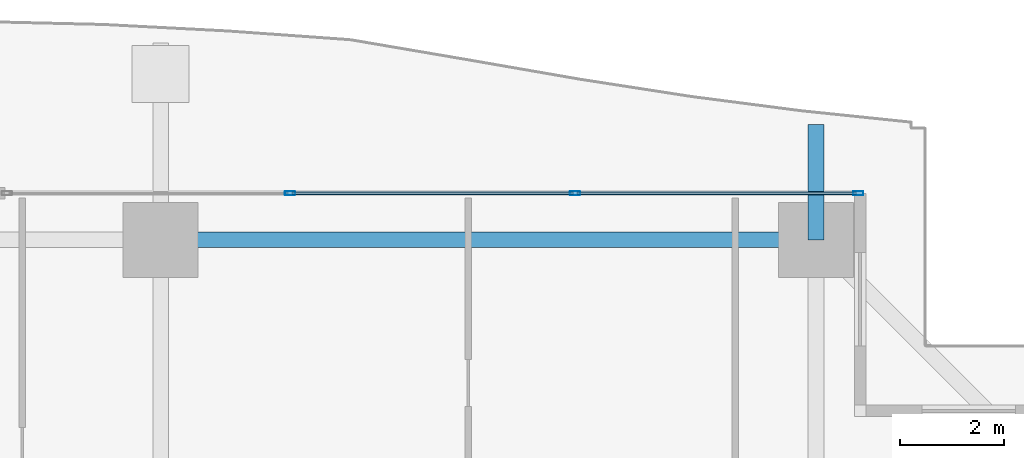
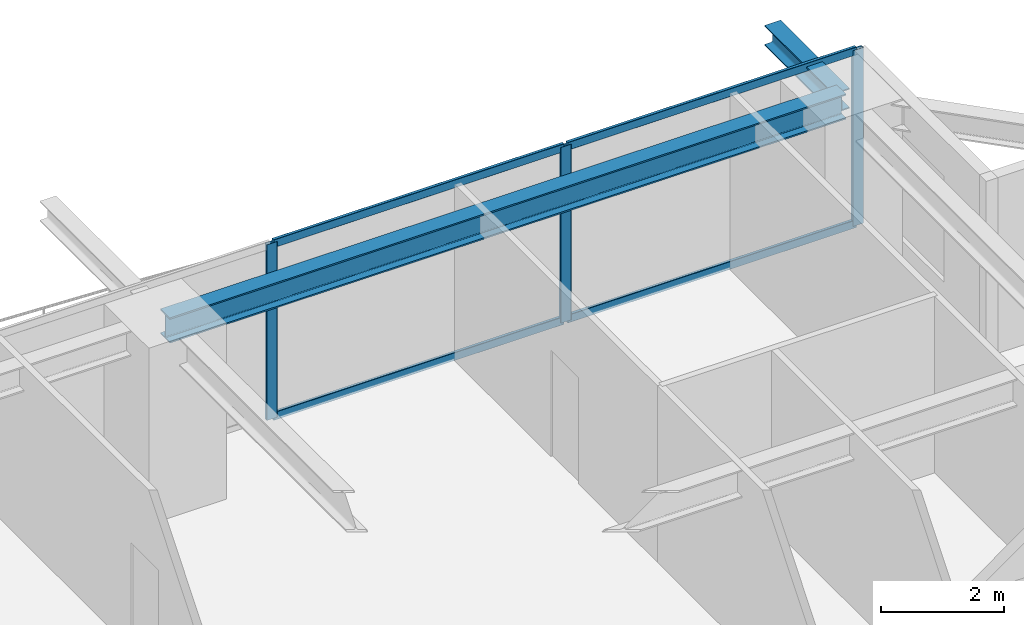
# One storey, part 25 of 38: 7 members, 2 beams, 1 element without a shape of its own.
"""IFC4 building model written with IfcOpenShell, lengths in metres."""

from ifc_helpers import new_model, si_unit, direction, frame, origin, origin_2d, place, context, subcontext, project, spatial, hollow_rectangle, i_section, extrude, source, transform, mapped, material, layer, layer_set, material_profile, profile_set, type_object, element, aggregate, save


model = new_model("IFC4")

# Units and contexts
model_context = context("Model", 3, precision=1e-05, world=origin(), true_north=direction((0.0, 1.0)))
body_context = subcontext(model_context, "Body", "Model", "MODEL_VIEW")
ifc_project = project(units=[si_unit("LENGTHUNIT", "METRE"), si_unit("AREAUNIT", "SQUARE_METRE"), si_unit("VOLUMEUNIT", "CUBIC_METRE"), si_unit("PLANEANGLEUNIT", "RADIAN"), si_unit("MASSUNIT", "GRAM", prefix="KILO")], contexts=[model_context])

# Site, building, storey
site_placement = place(None, origin())
site = spatial("IfcSite", under=ifc_project, at=site_placement, CompositionType="ELEMENT")
building_placement = place(site_placement, origin())
building = spatial("IfcBuilding", under=site, at=building_placement, Name="Serunith Strait Residences", CompositionType="ELEMENT")
storey_placement = place(building_placement, frame((0.0, 0.0, 82.949951171875)))
storey = spatial("IfcBuildingStorey", under=building, at=storey_placement, Name="L20", CompositionType="ELEMENT", Elevation=82.949951171875)

# Beams
ifc_material_1 = material(Name="Steel S355J2", Category="steel")
ifc_material_profile_1 = material_profile(ifc_material_1, i_section(OverallWidth=0.300048828125, OverallDepth=0.5, WebThickness=0.014404296875, FlangeThickness=0.028076171875, FilletRadius=0.027099609375, at=origin_2d()), Name="HEB 500")
ifc_profile_set_1 = profile_set([ifc_material_profile_1], Name="Steel S355J2")
beam_type_1 = type_object("IfcBeamType", Name="BM-HEB500", PredefinedType="BEAM", material=ifc_profile_set_1)
shared_shape_1 = source(origin(), body_context, "Body", "SweptSolid", [
    extrude(i_section(OverallWidth=0.300048828125, OverallDepth=0.5, WebThickness=0.014404296875, FlangeThickness=0.028076171875, FilletRadius=0.027099609375, at=origin_2d()), origin(), (0.0, 0.0, 1.0), 12.650146484375),
])
beam_1_placement = place(storey_placement, frame((49.550048828125, 49.300048828125, 3.237060546875), z_axis=(-1.0, 0.0, 0.0), x_axis=(0.0, -1.0, 0.0)))
element("IfcBeam", 1, at=beam_1_placement, inside=storey, type_object=beam_type_1, Name="L20 Perimeter Ring Beam 09", PredefinedType="BEAM", context=body_context, shape_type="MappedRepresentation", body=[
    mapped(shared_shape_1, transform((0.0, 0.0, 0.0), scale=1.0)),
])
ifc_material_profile_2 = material_profile(ifc_material_1, i_section(OverallWidth=0.300048828125, OverallDepth=0.39990234375, WebThickness=0.013427734375, FlangeThickness=0.02392578125, FilletRadius=0.027099609375, at=origin_2d()), Name="HEB 400")
ifc_profile_set_2 = profile_set([ifc_material_profile_2], Name="Steel S355J2")
beam_type_2 = type_object("IfcBeamType", Name="BM-HEB400", PredefinedType="BEAM", material=ifc_profile_set_2)
shared_shape_2 = source(origin(), body_context, "Body", "SweptSolid", [
    extrude(i_section(OverallWidth=0.300048828125, OverallDepth=0.39990234375, WebThickness=0.013427734375, FlangeThickness=0.02392578125, FilletRadius=0.027099609375, at=origin_2d()), origin(), (0.0, 0.0, 1.0), 2.227294921875),
])
beam_2_placement = place(storey_placement, frame((49.550048828125, 49.300048828125, 3.257080078125), z_axis=(0.0, 1.0, 0.0), x_axis=(-1.0, 0.0, 0.0)))
element("IfcBeam", 2, at=beam_2_placement, inside=storey, type_object=beam_type_2, Name="L21 Cantilevered Balcony Rib TC-N4", PredefinedType="BEAM", context=body_context, shape_type="MappedRepresentation", body=[
    mapped(shared_shape_2, transform((0.0, 0.0, 0.0), scale=1.0)),
])

# Curtain wall, members
ifc_material_2 = material(Name="Pale-Champagne Anodised Aluminium", Category="aluminium")
ifc_layer = layer(ifc_material_2, 0.199951171875, Name="Pale-Champagne Anodised Aluminium")
ifc_layer_set = layer_set([ifc_layer], Name="Pale-Champagne Anodised Aluminium")
curtain_wall_type = type_object("IfcCurtainWallType", Name="CW-SYS1", PredefinedType="NOTDEFINED", material=ifc_layer_set)
curtain_wall_placement = place(storey_placement, origin())
curtain_wall = element("IfcCurtainWall", 3, at=curtain_wall_placement, inside=storey, type_object=curtain_wall_type, Name="L20 N Unitised Fritted Curtain Wall", PredefinedType="NOTDEFINED")
ifc_material_profile_3 = material_profile(ifc_material_2, hollow_rectangle(XDim=0.070068359375, YDim=0.199951171875, WallThickness=0.00390625, InnerFilletRadius=0.006103515625, OuterFilletRadius=0.010009765625, at=origin_2d()), Name="ALU 200x70x4")
ifc_profile_set_3 = profile_set([ifc_material_profile_3], Name="Pale-Champagne Anodised Aluminium")
member_type_1 = type_object("IfcMemberType", Name="CW-SYS1-MULL", PredefinedType="MULLION", material=ifc_profile_set_3)
shared_shape_3 = source(origin(), body_context, "Body", "SweptSolid", [
    extrude(hollow_rectangle(XDim=0.070068359375, YDim=0.199951171875, WallThickness=0.00390625, InnerFilletRadius=0.006103515625, OuterFilletRadius=0.010009765625, at=origin_2d()), origin(), (0.0, 0.0, 1.0), 3.47509765625),
])
member_1_placement = place(storey_placement, frame((50.364990234375, 50.199951171875, 0.0), z_axis=(0.0, 0.0, 1.0), x_axis=(0.0, -1.0, 0.0)))
member_1 = element("IfcMember", 4, at=member_1_placement, type_object=member_type_1, Name="CW-1 mullion 1", PredefinedType="MULLION", context=body_context, shape_type="MappedRepresentation", body=[
    mapped(shared_shape_3, transform((0.0, 0.0, 0.0), scale=1.0)),
])
member_2_placement = place(storey_placement, frame((44.89990234375, 50.199951171875, 0.0), z_axis=(0.0, 0.0, 1.0), x_axis=(0.0, -1.0, 0.0)))
member_2 = element("IfcMember", 5, at=member_2_placement, type_object=member_type_1, Name="CW-1 mullion 2", PredefinedType="MULLION", context=body_context, shape_type="MappedRepresentation", body=[
    mapped(shared_shape_3, transform((0.0, 0.0, 0.0), scale=1.0)),
])
member_3_placement = place(storey_placement, frame((39.39990234375, 50.199951171875, 0.0), z_axis=(0.0, 0.0, 1.0), x_axis=(0.0, -1.0, 0.0)))
member_3 = element("IfcMember", 6, at=member_3_placement, type_object=member_type_1, Name="CW-1 mullion 3", PredefinedType="MULLION", context=body_context, shape_type="MappedRepresentation", body=[
    mapped(shared_shape_3, transform((0.0, 0.0, 0.0), scale=1.0)),
])
ifc_material_profile_4 = material_profile(ifc_material_2, hollow_rectangle(XDim=0.06005859375, YDim=0.159912109375, WallThickness=0.00341796875, InnerFilletRadius=0.00537109375, OuterFilletRadius=0.0087890625, at=origin_2d()), Name="ALU 160x60x3.5")
ifc_profile_set_4 = profile_set([ifc_material_profile_4], Name="Pale-Champagne Anodised Aluminium")
member_type_2 = type_object("IfcMemberType", Name="CW-SYS1-TRAN", PredefinedType="USERDEFINED", material=ifc_profile_set_4)
shared_shape_4 = source(origin(), body_context, "Body", "SweptSolid", [
    extrude(hollow_rectangle(XDim=0.06005859375, YDim=0.159912109375, WallThickness=0.00341796875, InnerFilletRadius=0.00537109375, OuterFilletRadius=0.0087890625, at=origin_2d()), origin(), (0.0, 0.0, 1.0), 5.39501953125),
])
member_4_placement = place(storey_placement, frame((50.330078125, 50.199951171875, 0.030029296875), z_axis=(-1.0, 0.0, 0.0), x_axis=(0.0, -1.0, 0.0)))
member_4 = element("IfcMember", 7, at=member_4_placement, type_object=member_type_2, Name="CW-1 transom 1.1", ObjectType="TRANSOM", PredefinedType="USERDEFINED", context=body_context, shape_type="MappedRepresentation", body=[
    mapped(shared_shape_4, transform((0.0, 0.0, 0.0), scale=1.0)),
])
member_5_placement = place(storey_placement, frame((50.330078125, 50.199951171875, 3.445068359375), z_axis=(-1.0, 0.0, 0.0), x_axis=(0.0, -1.0, 0.0)))
member_5 = element("IfcMember", 8, at=member_5_placement, type_object=member_type_2, Name="CW-1 transom 1.2", ObjectType="TRANSOM", PredefinedType="USERDEFINED", context=body_context, shape_type="MappedRepresentation", body=[
    mapped(shared_shape_4, transform((0.0, 0.0, 0.0), scale=1.0)),
])
shared_shape_5 = source(origin(), body_context, "Body", "SweptSolid", [
    extrude(hollow_rectangle(XDim=0.06005859375, YDim=0.159912109375, WallThickness=0.00341796875, InnerFilletRadius=0.00537109375, OuterFilletRadius=0.0087890625, at=origin_2d()), origin(), (0.0, 0.0, 1.0), 5.429931640625),
])
member_6_placement = place(storey_placement, frame((44.864990234375, 50.199951171875, 0.030029296875), z_axis=(-1.0, 0.0, 0.0), x_axis=(0.0, -1.0, 0.0)))
member_6 = element("IfcMember", 9, at=member_6_placement, type_object=member_type_2, Name="CW-1 transom 2.1", ObjectType="TRANSOM", PredefinedType="USERDEFINED", context=body_context, shape_type="MappedRepresentation", body=[
    mapped(shared_shape_5, transform((0.0, 0.0, 0.0), scale=1.0)),
])
member_7_placement = place(storey_placement, frame((44.864990234375, 50.199951171875, 3.445068359375), z_axis=(-1.0, 0.0, 0.0), x_axis=(0.0, -1.0, 0.0)))
member_7 = element("IfcMember", 10, at=member_7_placement, type_object=member_type_2, Name="CW-1 transom 2.2", ObjectType="TRANSOM", PredefinedType="USERDEFINED", context=body_context, shape_type="MappedRepresentation", body=[
    mapped(shared_shape_5, transform((0.0, 0.0, 0.0), scale=1.0)),
])
aggregate(curtain_wall, [member_1, member_2, member_3, member_4, member_5, member_6, member_7])

save(model, "model.ifc")
